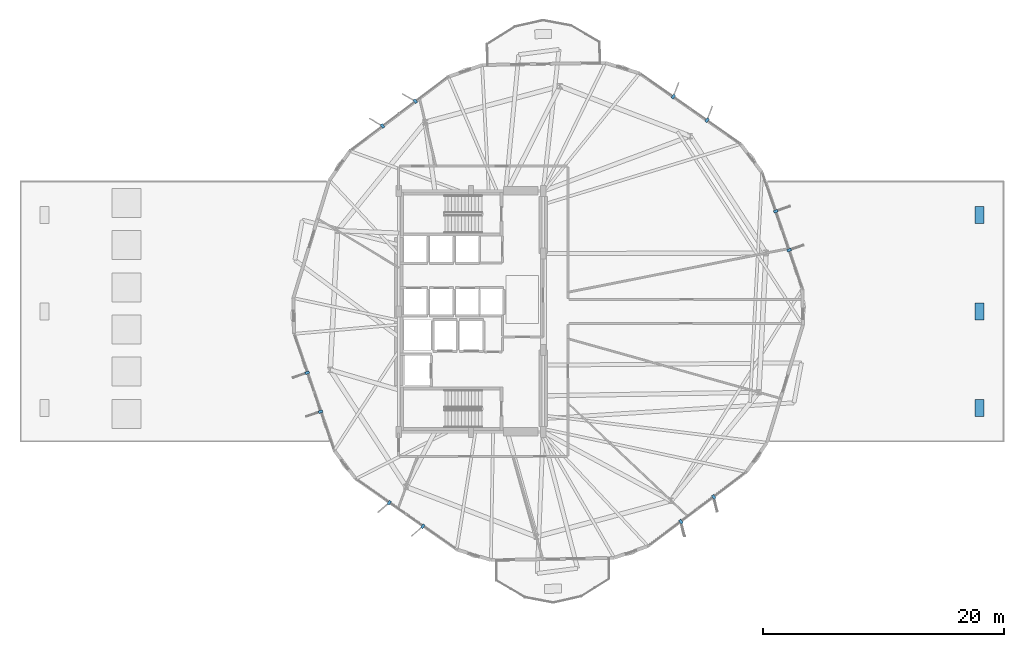
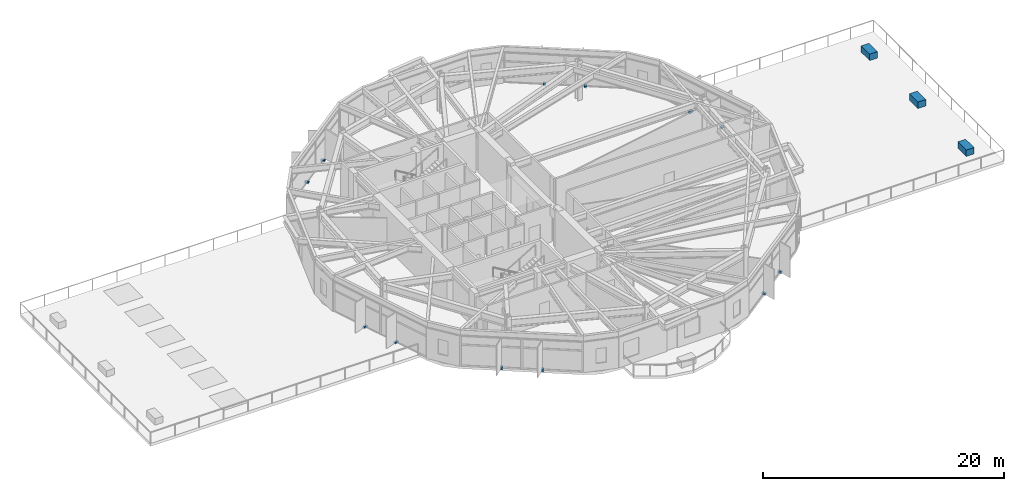
# One storey, part 20 of 23: 15 discrete accessories.
"""IFC4 building model written with IfcOpenShell, lengths in metres."""

from ifc_helpers import new_model, si_unit, direction, frame, origin, origin_2d, place, context, subcontext, project, spatial, rectangle, extrude, material, type_object, element, save


model = new_model("IFC4")

# Units and contexts
model_context = context("Model", 3, precision=1e-05, world=origin(), true_north=direction((0.0, 1.0)))
body_context = subcontext(model_context, "Body", "Model", "MODEL_VIEW")
ifc_project = project(units=[si_unit("LENGTHUNIT", "METRE"), si_unit("AREAUNIT", "SQUARE_METRE"), si_unit("VOLUMEUNIT", "CUBIC_METRE"), si_unit("PLANEANGLEUNIT", "RADIAN"), si_unit("MASSUNIT", "GRAM", prefix="KILO")], contexts=[model_context])

# Site, building, storey
site_placement = place(None, origin())
site = spatial("IfcSite", under=ifc_project, at=site_placement, CompositionType="ELEMENT")
building_placement = place(site_placement, origin())
building = spatial("IfcBuilding", under=site, at=building_placement, Name="Soratama Intermodal Tower", CompositionType="ELEMENT")
storey_placement = place(building_placement, frame((0.0, 0.0, 30.60009765625)))
storey = spatial("IfcBuildingStorey", under=building, at=storey_placement, Name="L06", CompositionType="ELEMENT", Elevation=30.60009765625)

# Discrete accessories
ifc_material_1 = material(Name="Structural steel ASTM A992 Grade 50", Category="steel")
discrete_accessory_type_1 = type_object("IfcDiscreteAccessoryType", Name="AC-FIN-BRACKET", PredefinedType="BRACKET", material=ifc_material_1)
for number, where, z_axis, x_axis, name in (
    (1, (64.995849609375, 30.089599609375, -0.080078125), (0.0, 0.0, 1.0), (0.945404873273, 0.325898182861, 0.0), "L06 Fin Bracket F01-1"),
    (2, (63.884521484375, 33.3134765625, -0.080078125), (0.0, 0.0, 1.0), (0.945404873273, 0.325898182861, 0.0), "L06 Fin Bracket F01-2"),
    (3, (58.185546875, 40.87060546875, -0.080078125), (0.0, 0.0, 1.0), (0.573290463408, 0.819352210326, 0.0), "L06 Fin Bracket F02-1"),
    (4, (55.391357421875, 42.82568359375, -0.080078125), (0.0, 0.0, 1.0), (0.573290463408, 0.819352210326, 0.0), "L06 Fin Bracket F02-2"),
    (5, (33.980712890625, 42.444580078125, -0.080078125), (0.0, 0.0, 1.0), (-0.602093762865, 0.798425388323, 0.0), "L06 Fin Bracket F04-1"),
    (6, (31.2578125, 40.391357421875, -0.080078125), (0.0, 0.0, 1.0), (-0.602093762865, 0.798425388323, 0.0), "L06 Fin Bracket F04-2"),
    (7, (25.004150390625, 19.910400390625, -0.080078125), (0.0, 0.0, 1.0), (-0.945404873273, -0.325898182861, 0.0), "L06 Fin Bracket F06-1"),
    (8, (26.115478515625, 16.6865234375, -0.080078125), (0.0, 0.0, 1.0), (-0.945404873273, -0.325898182861, 0.0), "L06 Fin Bracket F06-2"),
    (9, (31.814453125, 9.12939453125, -0.080078125), (0.0, 0.0, 1.0), (-0.573290463408, -0.819352210326, 0.0), "L06 Fin Bracket F07-1"),
    (10, (34.608642578125, 7.17431640625, -0.080078125), (0.0, 0.0, 1.0), (-0.573290463408, -0.819352210326, 0.0), "L06 Fin Bracket F07-2"),
    (11, (56.019287109375, 7.555419921875, -0.080078125), (0.0, 0.0, 1.0), (0.602093762865, -0.798425388323, 0.0), "L06 Fin Bracket F09-1"),
    (12, (58.7421875, 9.608642578125, -0.080078125), (0.0, 0.0, 1.0), (0.602093762865, -0.798425388323, 0.0), "L06 Fin Bracket F09-2"),
):
    element("IfcDiscreteAccessory", number, at=place(storey_placement, frame(where, z_axis=z_axis, x_axis=x_axis)), inside=storey, type_object=discrete_accessory_type_1, Name=name, PredefinedType="BRACKET", context=body_context, shape_type="SweptSolid", body=[
        extrude(rectangle(XDim=0.360107421875, YDim=0.219970703125, at=origin_2d()), origin(), (0.0, 0.0, 1.0), 0.199951171875),
    ])
ifc_material_2 = material(Name="Precast concrete f'c 40 MPa", Category="concrete")
discrete_accessory_type_2 = type_object("IfcDiscreteAccessoryType", Name="AC-PLANTER-TREE", PredefinedType="USERDEFINED", material=ifc_material_2)
for number, where, z_axis, x_axis, name in (
    (13, (80.800048828125, 17.0, 0.0), (0.0, 0.0, 1.0), (1.0, 0.0, 0.0), "L06 Tree Planter E1"),
    (14, (80.800048828125, 25.0, 0.0), (0.0, 0.0, 1.0), (1.0, 0.0, 0.0), "L06 Tree Planter E2"),
    (15, (80.800048828125, 33.0, 0.0), (0.0, 0.0, 1.0), (1.0, 0.0, 0.0), "L06 Tree Planter E3"),
):
    element("IfcDiscreteAccessory", number, at=place(storey_placement, frame(where, z_axis=z_axis, x_axis=x_axis)), inside=storey, type_object=discrete_accessory_type_2, Name=name, ObjectType="PLANTER", PredefinedType="USERDEFINED", context=body_context, shape_type="SweptSolid", body=[
        extrude(rectangle(XDim=0.75, YDim=1.39990234375, at=origin_2d()), origin(), (0.0, 0.0, 1.0), 0.64990234375),
    ])

save(model, "model.ifc")
